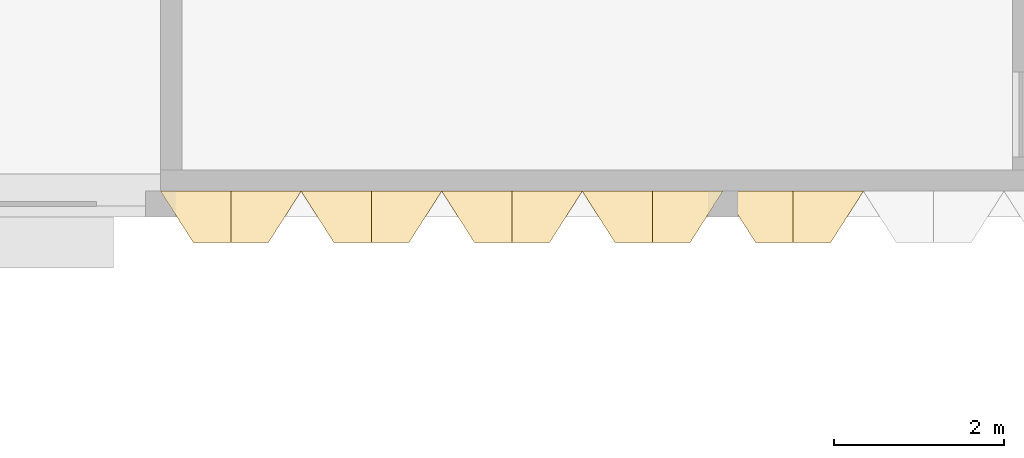
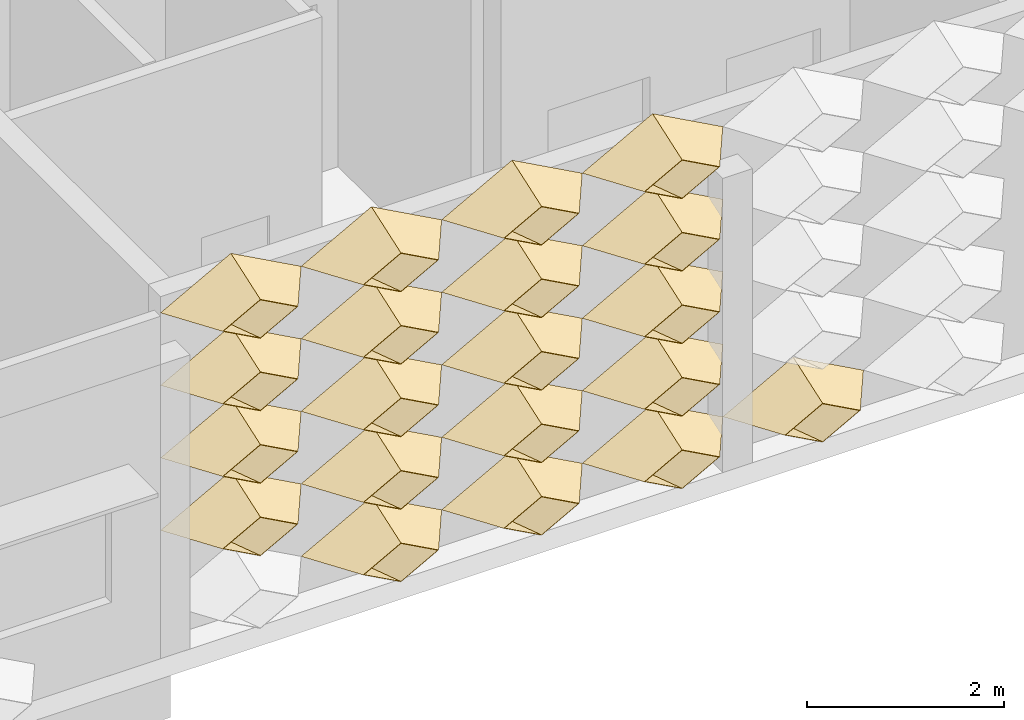
# One storey, part 72 of 85: 20 coverings.
"""IFC4 building model written with IfcOpenShell, lengths in metres."""

from ifc_helpers import new_model, entity, si_unit, direction, frame, origin, place, context, subcontext, project, spatial, material, layer, layer_set, type_object, element, save


model = new_model("IFC4")

# Units and contexts
model_context = context("Model", 3, precision=1e-05, world=origin(), true_north=direction((0.0, 1.0)))
body_context = subcontext(model_context, "Body", "Model", "MODEL_VIEW")
ifc_project = project(units=[si_unit("LENGTHUNIT", "METRE"), si_unit("AREAUNIT", "SQUARE_METRE"), si_unit("VOLUMEUNIT", "CUBIC_METRE"), si_unit("PLANEANGLEUNIT", "RADIAN"), si_unit("MASSUNIT", "GRAM", prefix="KILO")], contexts=[model_context])

# Site, building, storey
site_placement = place(None, origin())
site = spatial("IfcSite", under=ifc_project, at=site_placement, CompositionType="ELEMENT")
building_placement = place(site_placement, origin())
building = spatial("IfcBuilding", under=site, at=building_placement, Name="Lantern Court Research Institute", CompositionType="ELEMENT")
storey_placement = place(building_placement, frame((0.0, 0.0, 18.89990234375)))
storey = spatial("IfcBuildingStorey", under=building, at=storey_placement, Name="L04", CompositionType="ELEMENT", Elevation=18.89990234375)

# Coverings
ifc_material = material(Name="Anodised aluminium", Category="aluminium")
ifc_layer = layer(ifc_material, 0.01611328125)
ifc_layer_set = layer_set([ifc_layer], Name="Anodised aluminium")
covering_type = type_object("IfcCoveringType", Name="Fin cassette 1650 x 900 x 600 aluminium", PredefinedType="CLADDING", material=ifc_layer_set)
covering_1_placement = place(storey_placement, frame((42.074951171875, 82.5, 0.4501953125), z_axis=(0.0, -1.0, 0.0), x_axis=(1.0, 0.0, 0.0)))
cartesian_point_1 = entity("IfcCartesianPoint", [0.824951171875, 0.0])
cartesian_point_2 = entity("IfcCartesianPoint", [0.79150390625, 0.0])
cartesian_point_3 = entity("IfcCartesianPoint", [0.44189453125, 0.0])
cartesian_point_4 = entity("IfcCartesianPoint", [0.43359375, 0.0])
element("IfcCovering", 1, at=covering_1_placement, inside=storey, type_object=covering_type, Name="Fin cassette V6S-L04 1.26", PredefinedType="CLADDING", context=body_context, shape_type="SweptSolid", body=[
    entity("IfcExtrudedAreaSolidTapered", entity("IfcArbitraryProfileDefWithVoids", "AREA", None, entity("IfcPolyline", [cartesian_point_1, entity("IfcCartesianPoint", [0.0, 0.449951171875]), entity("IfcCartesianPoint", [-0.824951171875, 0.0]), entity("IfcCartesianPoint", [0.0, -0.449951171875]), cartesian_point_1]), [entity("IfcPolyline", [cartesian_point_2, entity("IfcCartesianPoint", [0.0, 0.431884765625]), entity("IfcCartesianPoint", [-0.79150390625, 0.0]), entity("IfcCartesianPoint", [0.0, -0.431884765625]), cartesian_point_2])]), entity("IfcAxis2Placement3D", entity("IfcCartesianPoint", [0.0, 0.0, 0.0])), entity("IfcDirection", [0.0, 0.0, 1.0]), 0.60009765625, entity("IfcArbitraryProfileDefWithVoids", "AREA", None, entity("IfcPolyline", [cartesian_point_3, entity("IfcCartesianPoint", [0.0, 0.240966796875]), entity("IfcCartesianPoint", [-0.44189453125, 0.0]), entity("IfcCartesianPoint", [0.0, -0.240966796875]), cartesian_point_3]), [entity("IfcPolyline", [cartesian_point_4, entity("IfcCartesianPoint", [0.0, 0.236572265625]), entity("IfcCartesianPoint", [-0.43359375, 0.0]), entity("IfcCartesianPoint", [0.0, -0.236572265625]), cartesian_point_4])])),
])
covering_2_placement = place(storey_placement, frame((43.72509765625, 82.5, 0.4501953125), z_axis=(0.0, -1.0, 0.0), x_axis=(1.0, 0.0, 0.0)))
cartesian_point_5 = entity("IfcCartesianPoint", [0.824951171875, 0.0])
cartesian_point_6 = entity("IfcCartesianPoint", [0.79150390625, 0.0])
cartesian_point_7 = entity("IfcCartesianPoint", [0.44189453125, 0.0])
cartesian_point_8 = entity("IfcCartesianPoint", [0.43359375, 0.0])
element("IfcCovering", 2, at=covering_2_placement, inside=storey, type_object=covering_type, Name="Fin cassette V6S-L04 1.27", PredefinedType="CLADDING", context=body_context, shape_type="SweptSolid", body=[
    entity("IfcExtrudedAreaSolidTapered", entity("IfcArbitraryProfileDefWithVoids", "AREA", None, entity("IfcPolyline", [cartesian_point_5, entity("IfcCartesianPoint", [0.0, 0.449951171875]), entity("IfcCartesianPoint", [-0.824951171875, 0.0]), entity("IfcCartesianPoint", [0.0, -0.449951171875]), cartesian_point_5]), [entity("IfcPolyline", [cartesian_point_6, entity("IfcCartesianPoint", [0.0, 0.431884765625]), entity("IfcCartesianPoint", [-0.79150390625, 0.0]), entity("IfcCartesianPoint", [0.0, -0.431884765625]), cartesian_point_6])]), entity("IfcAxis2Placement3D", entity("IfcCartesianPoint", [0.0, 0.0, 0.0])), entity("IfcDirection", [0.0, 0.0, 1.0]), 0.60009765625, entity("IfcArbitraryProfileDefWithVoids", "AREA", None, entity("IfcPolyline", [cartesian_point_7, entity("IfcCartesianPoint", [0.0, 0.240966796875]), entity("IfcCartesianPoint", [-0.44189453125, 0.0]), entity("IfcCartesianPoint", [0.0, -0.240966796875]), cartesian_point_7]), [entity("IfcPolyline", [cartesian_point_8, entity("IfcCartesianPoint", [0.0, 0.236572265625]), entity("IfcCartesianPoint", [-0.43359375, 0.0]), entity("IfcCartesianPoint", [0.0, -0.236572265625]), cartesian_point_8])])),
])
covering_3_placement = place(storey_placement, frame((45.375, 82.5, 0.4501953125), z_axis=(0.0, -1.0, 0.0), x_axis=(1.0, 0.0, 0.0)))
cartesian_point_9 = entity("IfcCartesianPoint", [0.824951171875, 0.0])
cartesian_point_10 = entity("IfcCartesianPoint", [0.79150390625, 0.0])
cartesian_point_11 = entity("IfcCartesianPoint", [0.44189453125, 0.0])
cartesian_point_12 = entity("IfcCartesianPoint", [0.43359375, 0.0])
element("IfcCovering", 3, at=covering_3_placement, inside=storey, type_object=covering_type, Name="Fin cassette V6S-L04 1.28", PredefinedType="CLADDING", context=body_context, shape_type="SweptSolid", body=[
    entity("IfcExtrudedAreaSolidTapered", entity("IfcArbitraryProfileDefWithVoids", "AREA", None, entity("IfcPolyline", [cartesian_point_9, entity("IfcCartesianPoint", [0.0, 0.449951171875]), entity("IfcCartesianPoint", [-0.824951171875, 0.0]), entity("IfcCartesianPoint", [0.0, -0.449951171875]), cartesian_point_9]), [entity("IfcPolyline", [cartesian_point_10, entity("IfcCartesianPoint", [0.0, 0.431884765625]), entity("IfcCartesianPoint", [-0.79150390625, 0.0]), entity("IfcCartesianPoint", [0.0, -0.431884765625]), cartesian_point_10])]), entity("IfcAxis2Placement3D", entity("IfcCartesianPoint", [0.0, 0.0, 0.0])), entity("IfcDirection", [0.0, 0.0, 1.0]), 0.60009765625, entity("IfcArbitraryProfileDefWithVoids", "AREA", None, entity("IfcPolyline", [cartesian_point_11, entity("IfcCartesianPoint", [0.0, 0.240966796875]), entity("IfcCartesianPoint", [-0.44189453125, 0.0]), entity("IfcCartesianPoint", [0.0, -0.240966796875]), cartesian_point_11]), [entity("IfcPolyline", [cartesian_point_12, entity("IfcCartesianPoint", [0.0, 0.236572265625]), entity("IfcCartesianPoint", [-0.43359375, 0.0]), entity("IfcCartesianPoint", [0.0, -0.236572265625]), cartesian_point_12])])),
])
covering_4_placement = place(storey_placement, frame((47.02490234375, 82.5, 0.4501953125), z_axis=(0.0, -1.0, 0.0), x_axis=(1.0, 0.0, 0.0)))
cartesian_point_13 = entity("IfcCartesianPoint", [0.824951171875, 0.0])
cartesian_point_14 = entity("IfcCartesianPoint", [0.79150390625, 0.0])
cartesian_point_15 = entity("IfcCartesianPoint", [0.44189453125, 0.0])
cartesian_point_16 = entity("IfcCartesianPoint", [0.43359375, 0.0])
element("IfcCovering", 4, at=covering_4_placement, inside=storey, type_object=covering_type, Name="Fin cassette V6S-L04 1.29", PredefinedType="CLADDING", context=body_context, shape_type="SweptSolid", body=[
    entity("IfcExtrudedAreaSolidTapered", entity("IfcArbitraryProfileDefWithVoids", "AREA", None, entity("IfcPolyline", [cartesian_point_13, entity("IfcCartesianPoint", [0.0, 0.449951171875]), entity("IfcCartesianPoint", [-0.824951171875, 0.0]), entity("IfcCartesianPoint", [0.0, -0.449951171875]), cartesian_point_13]), [entity("IfcPolyline", [cartesian_point_14, entity("IfcCartesianPoint", [0.0, 0.431884765625]), entity("IfcCartesianPoint", [-0.79150390625, 0.0]), entity("IfcCartesianPoint", [0.0, -0.431884765625]), cartesian_point_14])]), entity("IfcAxis2Placement3D", entity("IfcCartesianPoint", [0.0, 0.0, 0.0])), entity("IfcDirection", [0.0, 0.0, 1.0]), 0.60009765625, entity("IfcArbitraryProfileDefWithVoids", "AREA", None, entity("IfcPolyline", [cartesian_point_15, entity("IfcCartesianPoint", [0.0, 0.240966796875]), entity("IfcCartesianPoint", [-0.44189453125, 0.0]), entity("IfcCartesianPoint", [0.0, -0.240966796875]), cartesian_point_15]), [entity("IfcPolyline", [cartesian_point_16, entity("IfcCartesianPoint", [0.0, 0.236572265625]), entity("IfcCartesianPoint", [-0.43359375, 0.0]), entity("IfcCartesianPoint", [0.0, -0.236572265625]), cartesian_point_16])])),
])
covering_5_placement = place(storey_placement, frame((40.425048828125, 82.5, 1.35009765625), z_axis=(0.0, -1.0, 0.0), x_axis=(1.0, 0.0, 0.0)))
cartesian_point_17 = entity("IfcCartesianPoint", [0.824951171875, 0.0])
cartesian_point_18 = entity("IfcCartesianPoint", [0.79150390625, 0.0])
cartesian_point_19 = entity("IfcCartesianPoint", [0.44189453125, 0.0])
cartesian_point_20 = entity("IfcCartesianPoint", [0.43359375, 0.0])
element("IfcCovering", 5, at=covering_5_placement, inside=storey, type_object=covering_type, Name="Fin cassette V6S-L04 2.25", PredefinedType="CLADDING", context=body_context, shape_type="SweptSolid", body=[
    entity("IfcExtrudedAreaSolidTapered", entity("IfcArbitraryProfileDefWithVoids", "AREA", None, entity("IfcPolyline", [cartesian_point_17, entity("IfcCartesianPoint", [0.0, 0.449951171875]), entity("IfcCartesianPoint", [-0.824951171875, 0.0]), entity("IfcCartesianPoint", [0.0, -0.449951171875]), cartesian_point_17]), [entity("IfcPolyline", [cartesian_point_18, entity("IfcCartesianPoint", [0.0, 0.431884765625]), entity("IfcCartesianPoint", [-0.79150390625, 0.0]), entity("IfcCartesianPoint", [0.0, -0.431884765625]), cartesian_point_18])]), entity("IfcAxis2Placement3D", entity("IfcCartesianPoint", [0.0, 0.0, 0.0])), entity("IfcDirection", [0.0, 0.0, 1.0]), 0.60009765625, entity("IfcArbitraryProfileDefWithVoids", "AREA", None, entity("IfcPolyline", [cartesian_point_19, entity("IfcCartesianPoint", [0.0, 0.240966796875]), entity("IfcCartesianPoint", [-0.44189453125, 0.0]), entity("IfcCartesianPoint", [0.0, -0.240966796875]), cartesian_point_19]), [entity("IfcPolyline", [cartesian_point_20, entity("IfcCartesianPoint", [0.0, 0.236572265625]), entity("IfcCartesianPoint", [-0.43359375, 0.0]), entity("IfcCartesianPoint", [0.0, -0.236572265625]), cartesian_point_20])])),
])
covering_6_placement = place(storey_placement, frame((42.074951171875, 82.5, 1.35009765625), z_axis=(0.0, -1.0, 0.0), x_axis=(1.0, 0.0, 0.0)))
cartesian_point_21 = entity("IfcCartesianPoint", [0.824951171875, 0.0])
cartesian_point_22 = entity("IfcCartesianPoint", [0.79150390625, 0.0])
cartesian_point_23 = entity("IfcCartesianPoint", [0.44189453125, 0.0])
cartesian_point_24 = entity("IfcCartesianPoint", [0.43359375, 0.0])
element("IfcCovering", 6, at=covering_6_placement, inside=storey, type_object=covering_type, Name="Fin cassette V6S-L04 2.26", PredefinedType="CLADDING", context=body_context, shape_type="SweptSolid", body=[
    entity("IfcExtrudedAreaSolidTapered", entity("IfcArbitraryProfileDefWithVoids", "AREA", None, entity("IfcPolyline", [cartesian_point_21, entity("IfcCartesianPoint", [0.0, 0.449951171875]), entity("IfcCartesianPoint", [-0.824951171875, 0.0]), entity("IfcCartesianPoint", [0.0, -0.449951171875]), cartesian_point_21]), [entity("IfcPolyline", [cartesian_point_22, entity("IfcCartesianPoint", [0.0, 0.431884765625]), entity("IfcCartesianPoint", [-0.79150390625, 0.0]), entity("IfcCartesianPoint", [0.0, -0.431884765625]), cartesian_point_22])]), entity("IfcAxis2Placement3D", entity("IfcCartesianPoint", [0.0, 0.0, 0.0])), entity("IfcDirection", [0.0, 0.0, 1.0]), 0.60009765625, entity("IfcArbitraryProfileDefWithVoids", "AREA", None, entity("IfcPolyline", [cartesian_point_23, entity("IfcCartesianPoint", [0.0, 0.240966796875]), entity("IfcCartesianPoint", [-0.44189453125, 0.0]), entity("IfcCartesianPoint", [0.0, -0.240966796875]), cartesian_point_23]), [entity("IfcPolyline", [cartesian_point_24, entity("IfcCartesianPoint", [0.0, 0.236572265625]), entity("IfcCartesianPoint", [-0.43359375, 0.0]), entity("IfcCartesianPoint", [0.0, -0.236572265625]), cartesian_point_24])])),
])
covering_7_placement = place(storey_placement, frame((43.72509765625, 82.5, 1.35009765625), z_axis=(0.0, -1.0, 0.0), x_axis=(1.0, 0.0, 0.0)))
cartesian_point_25 = entity("IfcCartesianPoint", [0.824951171875, 0.0])
cartesian_point_26 = entity("IfcCartesianPoint", [0.79150390625, 0.0])
cartesian_point_27 = entity("IfcCartesianPoint", [0.44189453125, 0.0])
cartesian_point_28 = entity("IfcCartesianPoint", [0.43359375, 0.0])
element("IfcCovering", 7, at=covering_7_placement, inside=storey, type_object=covering_type, Name="Fin cassette V6S-L04 2.27", PredefinedType="CLADDING", context=body_context, shape_type="SweptSolid", body=[
    entity("IfcExtrudedAreaSolidTapered", entity("IfcArbitraryProfileDefWithVoids", "AREA", None, entity("IfcPolyline", [cartesian_point_25, entity("IfcCartesianPoint", [0.0, 0.449951171875]), entity("IfcCartesianPoint", [-0.824951171875, 0.0]), entity("IfcCartesianPoint", [0.0, -0.449951171875]), cartesian_point_25]), [entity("IfcPolyline", [cartesian_point_26, entity("IfcCartesianPoint", [0.0, 0.431884765625]), entity("IfcCartesianPoint", [-0.79150390625, 0.0]), entity("IfcCartesianPoint", [0.0, -0.431884765625]), cartesian_point_26])]), entity("IfcAxis2Placement3D", entity("IfcCartesianPoint", [0.0, 0.0, 0.0])), entity("IfcDirection", [0.0, 0.0, 1.0]), 0.60009765625, entity("IfcArbitraryProfileDefWithVoids", "AREA", None, entity("IfcPolyline", [cartesian_point_27, entity("IfcCartesianPoint", [0.0, 0.240966796875]), entity("IfcCartesianPoint", [-0.44189453125, 0.0]), entity("IfcCartesianPoint", [0.0, -0.240966796875]), cartesian_point_27]), [entity("IfcPolyline", [cartesian_point_28, entity("IfcCartesianPoint", [0.0, 0.236572265625]), entity("IfcCartesianPoint", [-0.43359375, 0.0]), entity("IfcCartesianPoint", [0.0, -0.236572265625]), cartesian_point_28])])),
])
covering_8_placement = place(storey_placement, frame((45.375, 82.5, 1.35009765625), z_axis=(0.0, -1.0, 0.0), x_axis=(1.0, 0.0, 0.0)))
cartesian_point_29 = entity("IfcCartesianPoint", [0.824951171875, 0.0])
cartesian_point_30 = entity("IfcCartesianPoint", [0.79150390625, 0.0])
cartesian_point_31 = entity("IfcCartesianPoint", [0.44189453125, 0.0])
cartesian_point_32 = entity("IfcCartesianPoint", [0.43359375, 0.0])
element("IfcCovering", 8, at=covering_8_placement, inside=storey, type_object=covering_type, Name="Fin cassette V6S-L04 2.28", PredefinedType="CLADDING", context=body_context, shape_type="SweptSolid", body=[
    entity("IfcExtrudedAreaSolidTapered", entity("IfcArbitraryProfileDefWithVoids", "AREA", None, entity("IfcPolyline", [cartesian_point_29, entity("IfcCartesianPoint", [0.0, 0.449951171875]), entity("IfcCartesianPoint", [-0.824951171875, 0.0]), entity("IfcCartesianPoint", [0.0, -0.449951171875]), cartesian_point_29]), [entity("IfcPolyline", [cartesian_point_30, entity("IfcCartesianPoint", [0.0, 0.431884765625]), entity("IfcCartesianPoint", [-0.79150390625, 0.0]), entity("IfcCartesianPoint", [0.0, -0.431884765625]), cartesian_point_30])]), entity("IfcAxis2Placement3D", entity("IfcCartesianPoint", [0.0, 0.0, 0.0])), entity("IfcDirection", [0.0, 0.0, 1.0]), 0.60009765625, entity("IfcArbitraryProfileDefWithVoids", "AREA", None, entity("IfcPolyline", [cartesian_point_31, entity("IfcCartesianPoint", [0.0, 0.240966796875]), entity("IfcCartesianPoint", [-0.44189453125, 0.0]), entity("IfcCartesianPoint", [0.0, -0.240966796875]), cartesian_point_31]), [entity("IfcPolyline", [cartesian_point_32, entity("IfcCartesianPoint", [0.0, 0.236572265625]), entity("IfcCartesianPoint", [-0.43359375, 0.0]), entity("IfcCartesianPoint", [0.0, -0.236572265625]), cartesian_point_32])])),
])
covering_9_placement = place(storey_placement, frame((40.425048828125, 82.5, 2.25), z_axis=(0.0, -1.0, 0.0), x_axis=(1.0, 0.0, 0.0)))
cartesian_point_33 = entity("IfcCartesianPoint", [0.824951171875, 0.0])
cartesian_point_34 = entity("IfcCartesianPoint", [0.79150390625, 0.0])
cartesian_point_35 = entity("IfcCartesianPoint", [0.44189453125, 0.0])
cartesian_point_36 = entity("IfcCartesianPoint", [0.43359375, 0.0])
element("IfcCovering", 9, at=covering_9_placement, inside=storey, type_object=covering_type, Name="Fin cassette V6S-L04 3.25", PredefinedType="CLADDING", context=body_context, shape_type="SweptSolid", body=[
    entity("IfcExtrudedAreaSolidTapered", entity("IfcArbitraryProfileDefWithVoids", "AREA", None, entity("IfcPolyline", [cartesian_point_33, entity("IfcCartesianPoint", [0.0, 0.449951171875]), entity("IfcCartesianPoint", [-0.824951171875, 0.0]), entity("IfcCartesianPoint", [0.0, -0.449951171875]), cartesian_point_33]), [entity("IfcPolyline", [cartesian_point_34, entity("IfcCartesianPoint", [0.0, 0.431884765625]), entity("IfcCartesianPoint", [-0.79150390625, 0.0]), entity("IfcCartesianPoint", [0.0, -0.431884765625]), cartesian_point_34])]), entity("IfcAxis2Placement3D", entity("IfcCartesianPoint", [0.0, 0.0, 0.0])), entity("IfcDirection", [0.0, 0.0, 1.0]), 0.60009765625, entity("IfcArbitraryProfileDefWithVoids", "AREA", None, entity("IfcPolyline", [cartesian_point_35, entity("IfcCartesianPoint", [0.0, 0.240966796875]), entity("IfcCartesianPoint", [-0.44189453125, 0.0]), entity("IfcCartesianPoint", [0.0, -0.240966796875]), cartesian_point_35]), [entity("IfcPolyline", [cartesian_point_36, entity("IfcCartesianPoint", [0.0, 0.236572265625]), entity("IfcCartesianPoint", [-0.43359375, 0.0]), entity("IfcCartesianPoint", [0.0, -0.236572265625]), cartesian_point_36])])),
])
covering_10_placement = place(storey_placement, frame((42.074951171875, 82.5, 2.25), z_axis=(0.0, -1.0, 0.0), x_axis=(1.0, 0.0, 0.0)))
cartesian_point_37 = entity("IfcCartesianPoint", [0.824951171875, 0.0])
cartesian_point_38 = entity("IfcCartesianPoint", [0.79150390625, 0.0])
cartesian_point_39 = entity("IfcCartesianPoint", [0.44189453125, 0.0])
cartesian_point_40 = entity("IfcCartesianPoint", [0.43359375, 0.0])
element("IfcCovering", 10, at=covering_10_placement, inside=storey, type_object=covering_type, Name="Fin cassette V6S-L04 3.26", PredefinedType="CLADDING", context=body_context, shape_type="SweptSolid", body=[
    entity("IfcExtrudedAreaSolidTapered", entity("IfcArbitraryProfileDefWithVoids", "AREA", None, entity("IfcPolyline", [cartesian_point_37, entity("IfcCartesianPoint", [0.0, 0.449951171875]), entity("IfcCartesianPoint", [-0.824951171875, 0.0]), entity("IfcCartesianPoint", [0.0, -0.449951171875]), cartesian_point_37]), [entity("IfcPolyline", [cartesian_point_38, entity("IfcCartesianPoint", [0.0, 0.431884765625]), entity("IfcCartesianPoint", [-0.79150390625, 0.0]), entity("IfcCartesianPoint", [0.0, -0.431884765625]), cartesian_point_38])]), entity("IfcAxis2Placement3D", entity("IfcCartesianPoint", [0.0, 0.0, 0.0])), entity("IfcDirection", [0.0, 0.0, 1.0]), 0.60009765625, entity("IfcArbitraryProfileDefWithVoids", "AREA", None, entity("IfcPolyline", [cartesian_point_39, entity("IfcCartesianPoint", [0.0, 0.240966796875]), entity("IfcCartesianPoint", [-0.44189453125, 0.0]), entity("IfcCartesianPoint", [0.0, -0.240966796875]), cartesian_point_39]), [entity("IfcPolyline", [cartesian_point_40, entity("IfcCartesianPoint", [0.0, 0.236572265625]), entity("IfcCartesianPoint", [-0.43359375, 0.0]), entity("IfcCartesianPoint", [0.0, -0.236572265625]), cartesian_point_40])])),
])
covering_11_placement = place(storey_placement, frame((43.72509765625, 82.5, 2.25), z_axis=(0.0, -1.0, 0.0), x_axis=(1.0, 0.0, 0.0)))
cartesian_point_41 = entity("IfcCartesianPoint", [0.824951171875, 0.0])
cartesian_point_42 = entity("IfcCartesianPoint", [0.79150390625, 0.0])
cartesian_point_43 = entity("IfcCartesianPoint", [0.44189453125, 0.0])
cartesian_point_44 = entity("IfcCartesianPoint", [0.43359375, 0.0])
element("IfcCovering", 11, at=covering_11_placement, inside=storey, type_object=covering_type, Name="Fin cassette V6S-L04 3.27", PredefinedType="CLADDING", context=body_context, shape_type="SweptSolid", body=[
    entity("IfcExtrudedAreaSolidTapered", entity("IfcArbitraryProfileDefWithVoids", "AREA", None, entity("IfcPolyline", [cartesian_point_41, entity("IfcCartesianPoint", [0.0, 0.449951171875]), entity("IfcCartesianPoint", [-0.824951171875, 0.0]), entity("IfcCartesianPoint", [0.0, -0.449951171875]), cartesian_point_41]), [entity("IfcPolyline", [cartesian_point_42, entity("IfcCartesianPoint", [0.0, 0.431884765625]), entity("IfcCartesianPoint", [-0.79150390625, 0.0]), entity("IfcCartesianPoint", [0.0, -0.431884765625]), cartesian_point_42])]), entity("IfcAxis2Placement3D", entity("IfcCartesianPoint", [0.0, 0.0, 0.0])), entity("IfcDirection", [0.0, 0.0, 1.0]), 0.60009765625, entity("IfcArbitraryProfileDefWithVoids", "AREA", None, entity("IfcPolyline", [cartesian_point_43, entity("IfcCartesianPoint", [0.0, 0.240966796875]), entity("IfcCartesianPoint", [-0.44189453125, 0.0]), entity("IfcCartesianPoint", [0.0, -0.240966796875]), cartesian_point_43]), [entity("IfcPolyline", [cartesian_point_44, entity("IfcCartesianPoint", [0.0, 0.236572265625]), entity("IfcCartesianPoint", [-0.43359375, 0.0]), entity("IfcCartesianPoint", [0.0, -0.236572265625]), cartesian_point_44])])),
])
covering_12_placement = place(storey_placement, frame((45.375, 82.5, 2.25), z_axis=(0.0, -1.0, 0.0), x_axis=(1.0, 0.0, 0.0)))
cartesian_point_45 = entity("IfcCartesianPoint", [0.824951171875, 0.0])
cartesian_point_46 = entity("IfcCartesianPoint", [0.79150390625, 0.0])
cartesian_point_47 = entity("IfcCartesianPoint", [0.44189453125, 0.0])
cartesian_point_48 = entity("IfcCartesianPoint", [0.43359375, 0.0])
element("IfcCovering", 12, at=covering_12_placement, inside=storey, type_object=covering_type, Name="Fin cassette V6S-L04 3.28", PredefinedType="CLADDING", context=body_context, shape_type="SweptSolid", body=[
    entity("IfcExtrudedAreaSolidTapered", entity("IfcArbitraryProfileDefWithVoids", "AREA", None, entity("IfcPolyline", [cartesian_point_45, entity("IfcCartesianPoint", [0.0, 0.449951171875]), entity("IfcCartesianPoint", [-0.824951171875, 0.0]), entity("IfcCartesianPoint", [0.0, -0.449951171875]), cartesian_point_45]), [entity("IfcPolyline", [cartesian_point_46, entity("IfcCartesianPoint", [0.0, 0.431884765625]), entity("IfcCartesianPoint", [-0.79150390625, 0.0]), entity("IfcCartesianPoint", [0.0, -0.431884765625]), cartesian_point_46])]), entity("IfcAxis2Placement3D", entity("IfcCartesianPoint", [0.0, 0.0, 0.0])), entity("IfcDirection", [0.0, 0.0, 1.0]), 0.60009765625, entity("IfcArbitraryProfileDefWithVoids", "AREA", None, entity("IfcPolyline", [cartesian_point_47, entity("IfcCartesianPoint", [0.0, 0.240966796875]), entity("IfcCartesianPoint", [-0.44189453125, 0.0]), entity("IfcCartesianPoint", [0.0, -0.240966796875]), cartesian_point_47]), [entity("IfcPolyline", [cartesian_point_48, entity("IfcCartesianPoint", [0.0, 0.236572265625]), entity("IfcCartesianPoint", [-0.43359375, 0.0]), entity("IfcCartesianPoint", [0.0, -0.236572265625]), cartesian_point_48])])),
])
covering_13_placement = place(storey_placement, frame((40.425048828125, 82.5, 3.150146484375), z_axis=(0.0, -1.0, 0.0), x_axis=(1.0, 0.0, 0.0)))
cartesian_point_49 = entity("IfcCartesianPoint", [0.824951171875, 0.0])
cartesian_point_50 = entity("IfcCartesianPoint", [0.79150390625, 0.0])
cartesian_point_51 = entity("IfcCartesianPoint", [0.44189453125, 0.0])
cartesian_point_52 = entity("IfcCartesianPoint", [0.43359375, 0.0])
element("IfcCovering", 13, at=covering_13_placement, inside=storey, type_object=covering_type, Name="Fin cassette V6S-L04 4.25", PredefinedType="CLADDING", context=body_context, shape_type="SweptSolid", body=[
    entity("IfcExtrudedAreaSolidTapered", entity("IfcArbitraryProfileDefWithVoids", "AREA", None, entity("IfcPolyline", [cartesian_point_49, entity("IfcCartesianPoint", [0.0, 0.449951171875]), entity("IfcCartesianPoint", [-0.824951171875, 0.0]), entity("IfcCartesianPoint", [0.0, -0.449951171875]), cartesian_point_49]), [entity("IfcPolyline", [cartesian_point_50, entity("IfcCartesianPoint", [0.0, 0.431884765625]), entity("IfcCartesianPoint", [-0.79150390625, 0.0]), entity("IfcCartesianPoint", [0.0, -0.431884765625]), cartesian_point_50])]), entity("IfcAxis2Placement3D", entity("IfcCartesianPoint", [0.0, 0.0, 0.0])), entity("IfcDirection", [0.0, 0.0, 1.0]), 0.60009765625, entity("IfcArbitraryProfileDefWithVoids", "AREA", None, entity("IfcPolyline", [cartesian_point_51, entity("IfcCartesianPoint", [0.0, 0.240966796875]), entity("IfcCartesianPoint", [-0.44189453125, 0.0]), entity("IfcCartesianPoint", [0.0, -0.240966796875]), cartesian_point_51]), [entity("IfcPolyline", [cartesian_point_52, entity("IfcCartesianPoint", [0.0, 0.236572265625]), entity("IfcCartesianPoint", [-0.43359375, 0.0]), entity("IfcCartesianPoint", [0.0, -0.236572265625]), cartesian_point_52])])),
])
covering_14_placement = place(storey_placement, frame((42.074951171875, 82.5, 3.150146484375), z_axis=(0.0, -1.0, 0.0), x_axis=(1.0, 0.0, 0.0)))
cartesian_point_53 = entity("IfcCartesianPoint", [0.824951171875, 0.0])
cartesian_point_54 = entity("IfcCartesianPoint", [0.79150390625, 0.0])
cartesian_point_55 = entity("IfcCartesianPoint", [0.44189453125, 0.0])
cartesian_point_56 = entity("IfcCartesianPoint", [0.43359375, 0.0])
element("IfcCovering", 14, at=covering_14_placement, inside=storey, type_object=covering_type, Name="Fin cassette V6S-L04 4.26", PredefinedType="CLADDING", context=body_context, shape_type="SweptSolid", body=[
    entity("IfcExtrudedAreaSolidTapered", entity("IfcArbitraryProfileDefWithVoids", "AREA", None, entity("IfcPolyline", [cartesian_point_53, entity("IfcCartesianPoint", [0.0, 0.449951171875]), entity("IfcCartesianPoint", [-0.824951171875, 0.0]), entity("IfcCartesianPoint", [0.0, -0.449951171875]), cartesian_point_53]), [entity("IfcPolyline", [cartesian_point_54, entity("IfcCartesianPoint", [0.0, 0.431884765625]), entity("IfcCartesianPoint", [-0.79150390625, 0.0]), entity("IfcCartesianPoint", [0.0, -0.431884765625]), cartesian_point_54])]), entity("IfcAxis2Placement3D", entity("IfcCartesianPoint", [0.0, 0.0, 0.0])), entity("IfcDirection", [0.0, 0.0, 1.0]), 0.60009765625, entity("IfcArbitraryProfileDefWithVoids", "AREA", None, entity("IfcPolyline", [cartesian_point_55, entity("IfcCartesianPoint", [0.0, 0.240966796875]), entity("IfcCartesianPoint", [-0.44189453125, 0.0]), entity("IfcCartesianPoint", [0.0, -0.240966796875]), cartesian_point_55]), [entity("IfcPolyline", [cartesian_point_56, entity("IfcCartesianPoint", [0.0, 0.236572265625]), entity("IfcCartesianPoint", [-0.43359375, 0.0]), entity("IfcCartesianPoint", [0.0, -0.236572265625]), cartesian_point_56])])),
])
covering_15_placement = place(storey_placement, frame((43.72509765625, 82.5, 3.150146484375), z_axis=(0.0, -1.0, 0.0), x_axis=(1.0, 0.0, 0.0)))
cartesian_point_57 = entity("IfcCartesianPoint", [0.824951171875, 0.0])
cartesian_point_58 = entity("IfcCartesianPoint", [0.79150390625, 0.0])
cartesian_point_59 = entity("IfcCartesianPoint", [0.44189453125, 0.0])
cartesian_point_60 = entity("IfcCartesianPoint", [0.43359375, 0.0])
element("IfcCovering", 15, at=covering_15_placement, inside=storey, type_object=covering_type, Name="Fin cassette V6S-L04 4.27", PredefinedType="CLADDING", context=body_context, shape_type="SweptSolid", body=[
    entity("IfcExtrudedAreaSolidTapered", entity("IfcArbitraryProfileDefWithVoids", "AREA", None, entity("IfcPolyline", [cartesian_point_57, entity("IfcCartesianPoint", [0.0, 0.449951171875]), entity("IfcCartesianPoint", [-0.824951171875, 0.0]), entity("IfcCartesianPoint", [0.0, -0.449951171875]), cartesian_point_57]), [entity("IfcPolyline", [cartesian_point_58, entity("IfcCartesianPoint", [0.0, 0.431884765625]), entity("IfcCartesianPoint", [-0.79150390625, 0.0]), entity("IfcCartesianPoint", [0.0, -0.431884765625]), cartesian_point_58])]), entity("IfcAxis2Placement3D", entity("IfcCartesianPoint", [0.0, 0.0, 0.0])), entity("IfcDirection", [0.0, 0.0, 1.0]), 0.60009765625, entity("IfcArbitraryProfileDefWithVoids", "AREA", None, entity("IfcPolyline", [cartesian_point_59, entity("IfcCartesianPoint", [0.0, 0.240966796875]), entity("IfcCartesianPoint", [-0.44189453125, 0.0]), entity("IfcCartesianPoint", [0.0, -0.240966796875]), cartesian_point_59]), [entity("IfcPolyline", [cartesian_point_60, entity("IfcCartesianPoint", [0.0, 0.236572265625]), entity("IfcCartesianPoint", [-0.43359375, 0.0]), entity("IfcCartesianPoint", [0.0, -0.236572265625]), cartesian_point_60])])),
])
covering_16_placement = place(storey_placement, frame((45.375, 82.5, 3.150146484375), z_axis=(0.0, -1.0, 0.0), x_axis=(1.0, 0.0, 0.0)))
cartesian_point_61 = entity("IfcCartesianPoint", [0.824951171875, 0.0])
cartesian_point_62 = entity("IfcCartesianPoint", [0.79150390625, 0.0])
cartesian_point_63 = entity("IfcCartesianPoint", [0.44189453125, 0.0])
cartesian_point_64 = entity("IfcCartesianPoint", [0.43359375, 0.0])
element("IfcCovering", 16, at=covering_16_placement, inside=storey, type_object=covering_type, Name="Fin cassette V6S-L04 4.28", PredefinedType="CLADDING", context=body_context, shape_type="SweptSolid", body=[
    entity("IfcExtrudedAreaSolidTapered", entity("IfcArbitraryProfileDefWithVoids", "AREA", None, entity("IfcPolyline", [cartesian_point_61, entity("IfcCartesianPoint", [0.0, 0.449951171875]), entity("IfcCartesianPoint", [-0.824951171875, 0.0]), entity("IfcCartesianPoint", [0.0, -0.449951171875]), cartesian_point_61]), [entity("IfcPolyline", [cartesian_point_62, entity("IfcCartesianPoint", [0.0, 0.431884765625]), entity("IfcCartesianPoint", [-0.79150390625, 0.0]), entity("IfcCartesianPoint", [0.0, -0.431884765625]), cartesian_point_62])]), entity("IfcAxis2Placement3D", entity("IfcCartesianPoint", [0.0, 0.0, 0.0])), entity("IfcDirection", [0.0, 0.0, 1.0]), 0.60009765625, entity("IfcArbitraryProfileDefWithVoids", "AREA", None, entity("IfcPolyline", [cartesian_point_63, entity("IfcCartesianPoint", [0.0, 0.240966796875]), entity("IfcCartesianPoint", [-0.44189453125, 0.0]), entity("IfcCartesianPoint", [0.0, -0.240966796875]), cartesian_point_63]), [entity("IfcPolyline", [cartesian_point_64, entity("IfcCartesianPoint", [0.0, 0.236572265625]), entity("IfcCartesianPoint", [-0.43359375, 0.0]), entity("IfcCartesianPoint", [0.0, -0.236572265625]), cartesian_point_64])])),
])
covering_17_placement = place(storey_placement, frame((40.425048828125, 82.5, 4.050048828125), z_axis=(0.0, -1.0, 0.0), x_axis=(1.0, 0.0, 0.0)))
cartesian_point_65 = entity("IfcCartesianPoint", [0.824951171875, 0.0])
cartesian_point_66 = entity("IfcCartesianPoint", [0.79150390625, 0.0])
cartesian_point_67 = entity("IfcCartesianPoint", [0.44189453125, 0.0])
cartesian_point_68 = entity("IfcCartesianPoint", [0.43359375, 0.0])
element("IfcCovering", 17, at=covering_17_placement, inside=storey, type_object=covering_type, Name="Fin cassette V6S-L04 5.25", PredefinedType="CLADDING", context=body_context, shape_type="SweptSolid", body=[
    entity("IfcExtrudedAreaSolidTapered", entity("IfcArbitraryProfileDefWithVoids", "AREA", None, entity("IfcPolyline", [cartesian_point_65, entity("IfcCartesianPoint", [0.0, 0.449951171875]), entity("IfcCartesianPoint", [-0.824951171875, 0.0]), entity("IfcCartesianPoint", [0.0, -0.449951171875]), cartesian_point_65]), [entity("IfcPolyline", [cartesian_point_66, entity("IfcCartesianPoint", [0.0, 0.431884765625]), entity("IfcCartesianPoint", [-0.79150390625, 0.0]), entity("IfcCartesianPoint", [0.0, -0.431884765625]), cartesian_point_66])]), entity("IfcAxis2Placement3D", entity("IfcCartesianPoint", [0.0, 0.0, 0.0])), entity("IfcDirection", [0.0, 0.0, 1.0]), 0.60009765625, entity("IfcArbitraryProfileDefWithVoids", "AREA", None, entity("IfcPolyline", [cartesian_point_67, entity("IfcCartesianPoint", [0.0, 0.240966796875]), entity("IfcCartesianPoint", [-0.44189453125, 0.0]), entity("IfcCartesianPoint", [0.0, -0.240966796875]), cartesian_point_67]), [entity("IfcPolyline", [cartesian_point_68, entity("IfcCartesianPoint", [0.0, 0.236572265625]), entity("IfcCartesianPoint", [-0.43359375, 0.0]), entity("IfcCartesianPoint", [0.0, -0.236572265625]), cartesian_point_68])])),
])
covering_18_placement = place(storey_placement, frame((42.074951171875, 82.5, 4.050048828125), z_axis=(0.0, -1.0, 0.0), x_axis=(1.0, 0.0, 0.0)))
cartesian_point_69 = entity("IfcCartesianPoint", [0.824951171875, 0.0])
cartesian_point_70 = entity("IfcCartesianPoint", [0.79150390625, 0.0])
cartesian_point_71 = entity("IfcCartesianPoint", [0.44189453125, 0.0])
cartesian_point_72 = entity("IfcCartesianPoint", [0.43359375, 0.0])
element("IfcCovering", 18, at=covering_18_placement, inside=storey, type_object=covering_type, Name="Fin cassette V6S-L04 5.26", PredefinedType="CLADDING", context=body_context, shape_type="SweptSolid", body=[
    entity("IfcExtrudedAreaSolidTapered", entity("IfcArbitraryProfileDefWithVoids", "AREA", None, entity("IfcPolyline", [cartesian_point_69, entity("IfcCartesianPoint", [0.0, 0.449951171875]), entity("IfcCartesianPoint", [-0.824951171875, 0.0]), entity("IfcCartesianPoint", [0.0, -0.449951171875]), cartesian_point_69]), [entity("IfcPolyline", [cartesian_point_70, entity("IfcCartesianPoint", [0.0, 0.431884765625]), entity("IfcCartesianPoint", [-0.79150390625, 0.0]), entity("IfcCartesianPoint", [0.0, -0.431884765625]), cartesian_point_70])]), entity("IfcAxis2Placement3D", entity("IfcCartesianPoint", [0.0, 0.0, 0.0])), entity("IfcDirection", [0.0, 0.0, 1.0]), 0.60009765625, entity("IfcArbitraryProfileDefWithVoids", "AREA", None, entity("IfcPolyline", [cartesian_point_71, entity("IfcCartesianPoint", [0.0, 0.240966796875]), entity("IfcCartesianPoint", [-0.44189453125, 0.0]), entity("IfcCartesianPoint", [0.0, -0.240966796875]), cartesian_point_71]), [entity("IfcPolyline", [cartesian_point_72, entity("IfcCartesianPoint", [0.0, 0.236572265625]), entity("IfcCartesianPoint", [-0.43359375, 0.0]), entity("IfcCartesianPoint", [0.0, -0.236572265625]), cartesian_point_72])])),
])
covering_19_placement = place(storey_placement, frame((43.72509765625, 82.5, 4.050048828125), z_axis=(0.0, -1.0, 0.0), x_axis=(1.0, 0.0, 0.0)))
cartesian_point_73 = entity("IfcCartesianPoint", [0.824951171875, 0.0])
cartesian_point_74 = entity("IfcCartesianPoint", [0.79150390625, 0.0])
cartesian_point_75 = entity("IfcCartesianPoint", [0.44189453125, 0.0])
cartesian_point_76 = entity("IfcCartesianPoint", [0.43359375, 0.0])
element("IfcCovering", 19, at=covering_19_placement, inside=storey, type_object=covering_type, Name="Fin cassette V6S-L04 5.27", PredefinedType="CLADDING", context=body_context, shape_type="SweptSolid", body=[
    entity("IfcExtrudedAreaSolidTapered", entity("IfcArbitraryProfileDefWithVoids", "AREA", None, entity("IfcPolyline", [cartesian_point_73, entity("IfcCartesianPoint", [0.0, 0.449951171875]), entity("IfcCartesianPoint", [-0.824951171875, 0.0]), entity("IfcCartesianPoint", [0.0, -0.449951171875]), cartesian_point_73]), [entity("IfcPolyline", [cartesian_point_74, entity("IfcCartesianPoint", [0.0, 0.431884765625]), entity("IfcCartesianPoint", [-0.79150390625, 0.0]), entity("IfcCartesianPoint", [0.0, -0.431884765625]), cartesian_point_74])]), entity("IfcAxis2Placement3D", entity("IfcCartesianPoint", [0.0, 0.0, 0.0])), entity("IfcDirection", [0.0, 0.0, 1.0]), 0.60009765625, entity("IfcArbitraryProfileDefWithVoids", "AREA", None, entity("IfcPolyline", [cartesian_point_75, entity("IfcCartesianPoint", [0.0, 0.240966796875]), entity("IfcCartesianPoint", [-0.44189453125, 0.0]), entity("IfcCartesianPoint", [0.0, -0.240966796875]), cartesian_point_75]), [entity("IfcPolyline", [cartesian_point_76, entity("IfcCartesianPoint", [0.0, 0.236572265625]), entity("IfcCartesianPoint", [-0.43359375, 0.0]), entity("IfcCartesianPoint", [0.0, -0.236572265625]), cartesian_point_76])])),
])
covering_20_placement = place(storey_placement, frame((45.375, 82.5, 4.050048828125), z_axis=(0.0, -1.0, 0.0), x_axis=(1.0, 0.0, 0.0)))
cartesian_point_77 = entity("IfcCartesianPoint", [0.824951171875, 0.0])
cartesian_point_78 = entity("IfcCartesianPoint", [0.79150390625, 0.0])
cartesian_point_79 = entity("IfcCartesianPoint", [0.44189453125, 0.0])
cartesian_point_80 = entity("IfcCartesianPoint", [0.43359375, 0.0])
element("IfcCovering", 20, at=covering_20_placement, inside=storey, type_object=covering_type, Name="Fin cassette V6S-L04 5.28", PredefinedType="CLADDING", context=body_context, shape_type="SweptSolid", body=[
    entity("IfcExtrudedAreaSolidTapered", entity("IfcArbitraryProfileDefWithVoids", "AREA", None, entity("IfcPolyline", [cartesian_point_77, entity("IfcCartesianPoint", [0.0, 0.449951171875]), entity("IfcCartesianPoint", [-0.824951171875, 0.0]), entity("IfcCartesianPoint", [0.0, -0.449951171875]), cartesian_point_77]), [entity("IfcPolyline", [cartesian_point_78, entity("IfcCartesianPoint", [0.0, 0.431884765625]), entity("IfcCartesianPoint", [-0.79150390625, 0.0]), entity("IfcCartesianPoint", [0.0, -0.431884765625]), cartesian_point_78])]), entity("IfcAxis2Placement3D", entity("IfcCartesianPoint", [0.0, 0.0, 0.0])), entity("IfcDirection", [0.0, 0.0, 1.0]), 0.60009765625, entity("IfcArbitraryProfileDefWithVoids", "AREA", None, entity("IfcPolyline", [cartesian_point_79, entity("IfcCartesianPoint", [0.0, 0.240966796875]), entity("IfcCartesianPoint", [-0.44189453125, 0.0]), entity("IfcCartesianPoint", [0.0, -0.240966796875]), cartesian_point_79]), [entity("IfcPolyline", [cartesian_point_80, entity("IfcCartesianPoint", [0.0, 0.236572265625]), entity("IfcCartesianPoint", [-0.43359375, 0.0]), entity("IfcCartesianPoint", [0.0, -0.236572265625]), cartesian_point_80])])),
])

save(model, "model.ifc")
